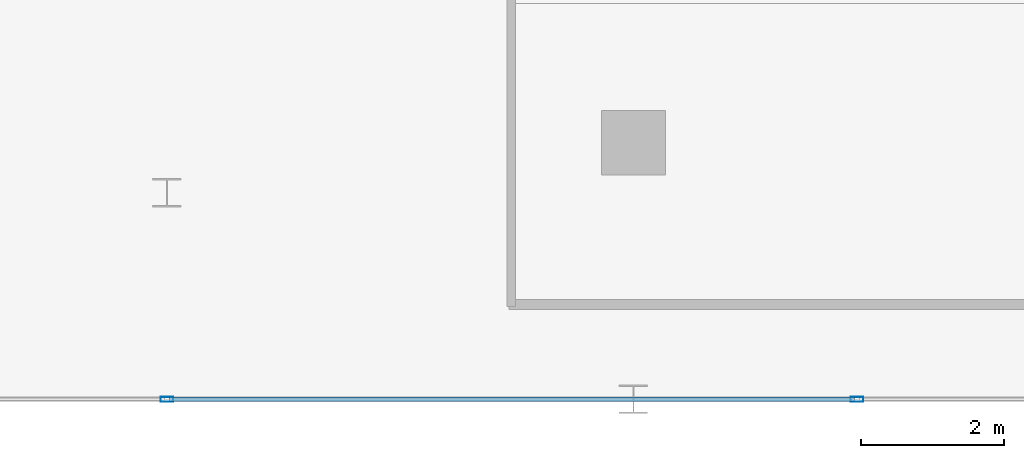
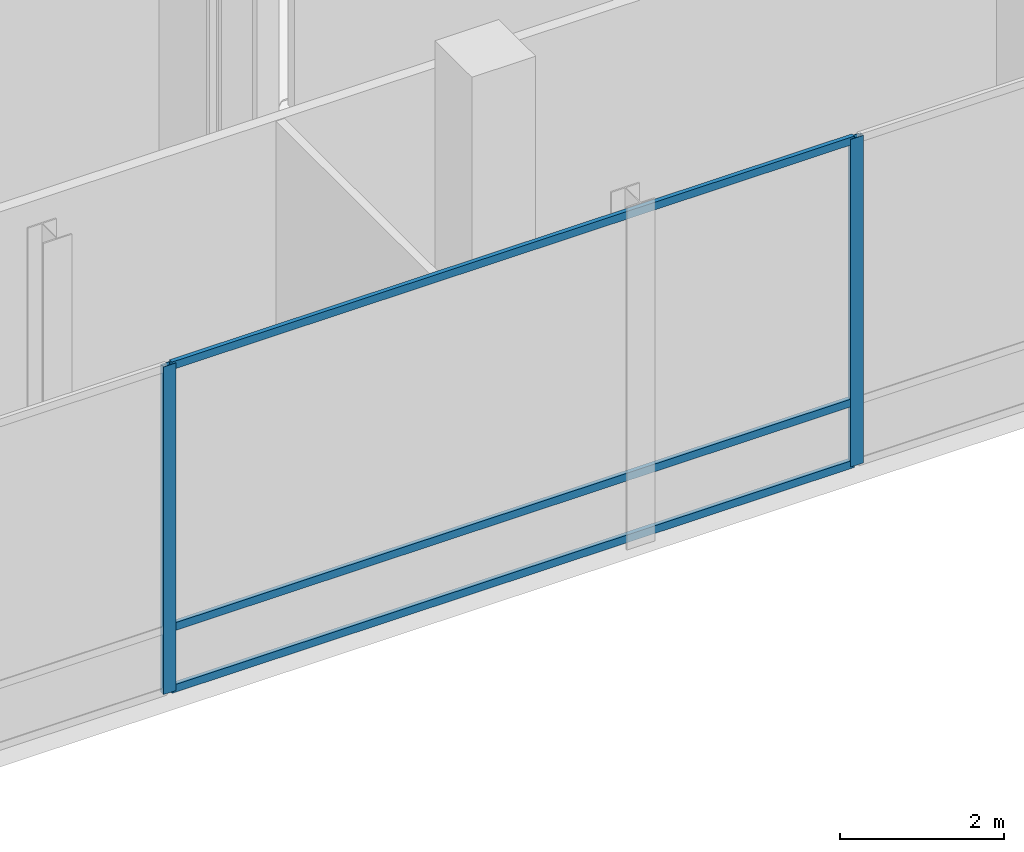
# One storey, part 13 of 40: 5 members, 1 element without a shape of its own.
"""IFC4 building model written with IfcOpenShell, lengths in metres."""

from ifc_helpers import new_model, si_unit, direction, frame, origin, origin_2d, place, context, subcontext, project, spatial, hollow_rectangle, extrude, material, layer, layer_set, material_profile, profile_set, type_object, element, aggregate, save


model = new_model("IFC4")

# Units and contexts
model_context = context("Model", 3, precision=1e-05, world=origin(), true_north=direction((0.0, 1.0)))
body_context = subcontext(model_context, "Body", "Model", "MODEL_VIEW")
ifc_project = project(units=[si_unit("LENGTHUNIT", "METRE"), si_unit("AREAUNIT", "SQUARE_METRE"), si_unit("VOLUMEUNIT", "CUBIC_METRE"), si_unit("PLANEANGLEUNIT", "RADIAN"), si_unit("MASSUNIT", "GRAM", prefix="KILO")], contexts=[model_context])

# Site, building, storey
site_placement = place(None, origin())
site = spatial("IfcSite", under=ifc_project, at=site_placement, CompositionType="ELEMENT")
building_placement = place(site_placement, origin())
building = spatial("IfcBuilding", under=site, at=building_placement, Name="Qianvela Tower", CompositionType="ELEMENT")
storey_placement = place(building_placement, frame((0.0, 0.0, 20.60009765625)))
storey = spatial("IfcBuildingStorey", under=building, at=storey_placement, Name="L04", CompositionType="ELEMENT", Elevation=20.60009765625)

# Curtain wall, members
ifc_material_1 = material(Name="Anodised Architectural Aluminium and Low-E Glass", Category="aluminium")
ifc_layer = layer(ifc_material_1, 0.179931640625)
ifc_layer_set = layer_set([ifc_layer], Name="Anodised Architectural Aluminium and Low-E Glass")
curtain_wall_type = type_object("IfcCurtainWallType", Name="CW-COMMONS", PredefinedType="USERDEFINED", material=ifc_layer_set)
curtain_wall_placement = place(storey_placement, origin())
curtain_wall = element("IfcCurtainWall", 1, at=curtain_wall_placement, inside=storey, type_object=curtain_wall_type, Name="L04 CW-COMMONS Curtain Wall 01", ObjectType="CURTAIN_WALL_SYSTEM", PredefinedType="USERDEFINED")
ifc_material_2 = material(Name="Anodised Architectural Aluminium 6063-T6", Category="aluminium")
ifc_material_profile_1 = material_profile(ifc_material_2, hollow_rectangle(XDim=0.070068359375, YDim=0.179931640625, WallThickness=0.0048828125, at=origin_2d()), Name="ALU-MULL-70x180")
ifc_profile_set_1 = profile_set([ifc_material_profile_1], Name="Anodised Architectural Aluminium 6063-T6")
member_type_1 = type_object("IfcMemberType", Name="CW-COMMONS-MULL", PredefinedType="MULLION", material=ifc_profile_set_1)
member_1_placement = place(storey_placement, frame((37.5, 4.5, 0.0), z_axis=(0.0, 0.0, 1.0), x_axis=(0.0, 1.0, 0.0)))
member_1 = element("IfcMember", 2, at=member_1_placement, type_object=member_type_1, Name="CW-2 mullion 4", PredefinedType="MULLION", context=body_context, shape_type="SweptSolid", body=[
    extrude(hollow_rectangle(XDim=0.070068359375, YDim=0.179931640625, WallThickness=0.0048828125, at=origin_2d()), origin(), (0.0, 0.0, 1.0), 4.8798828125),
])
member_2_placement = place(storey_placement, frame((47.183349609375, 4.5, 0.0), z_axis=(0.0, 0.0, 1.0), x_axis=(0.0, 1.0, 0.0)))
member_2 = element("IfcMember", 3, at=member_2_placement, type_object=member_type_1, Name="CW-2 mullion 5", PredefinedType="MULLION", context=body_context, shape_type="SweptSolid", body=[
    extrude(hollow_rectangle(XDim=0.070068359375, YDim=0.179931640625, WallThickness=0.0048828125, at=origin_2d()), origin(), (0.0, 0.0, 1.0), 4.8798828125),
])
ifc_material_3 = material(Name="Anodised Architectural Aluminium 6063-T6", Category="aluminium")
ifc_material_profile_2 = material_profile(ifc_material_3, hollow_rectangle(XDim=0.06005859375, YDim=0.114990234375, WallThickness=0.00390625, at=origin_2d()), Name="ALU-TRAN-60x115")
ifc_profile_set_2 = profile_set([ifc_material_profile_2], Name="Anodised Architectural Aluminium 6063-T6")
member_type_2 = type_object("IfcMemberType", Name="CW-COMMONS-TRAN", PredefinedType="USERDEFINED", material=ifc_profile_set_2)
member_3_placement = place(storey_placement, frame((37.534912109375, 4.5, 0.02978515625), z_axis=(1.0, 0.0, 0.0), x_axis=(0.0, 1.0, 0.0)))
member_3 = element("IfcMember", 4, at=member_3_placement, type_object=member_type_2, Name="CW-2 transom 4.1", ObjectType="TRANSOM", PredefinedType="USERDEFINED", context=body_context, shape_type="SweptSolid", body=[
    extrude(hollow_rectangle(XDim=0.06005859375, YDim=0.114990234375, WallThickness=0.00390625, at=origin_2d()), origin(), (0.0, 0.0, 1.0), 9.613525390625),
])
member_4_placement = place(storey_placement, frame((37.534912109375, 4.5, 0.949951171875), z_axis=(1.0, 0.0, 0.0), x_axis=(0.0, 1.0, 0.0)))
member_4 = element("IfcMember", 5, at=member_4_placement, type_object=member_type_2, Name="CW-2 transom 4.2", ObjectType="TRANSOM", PredefinedType="USERDEFINED", context=body_context, shape_type="SweptSolid", body=[
    extrude(hollow_rectangle(XDim=0.06005859375, YDim=0.114990234375, WallThickness=0.00390625, at=origin_2d()), origin(), (0.0, 0.0, 1.0), 9.613525390625),
])
member_5_placement = place(storey_placement, frame((37.534912109375, 4.5, 4.849853515625), z_axis=(1.0, 0.0, 0.0), x_axis=(0.0, 1.0, 0.0)))
member_5 = element("IfcMember", 6, at=member_5_placement, type_object=member_type_2, Name="CW-2 transom 4.3", ObjectType="TRANSOM", PredefinedType="USERDEFINED", context=body_context, shape_type="SweptSolid", body=[
    extrude(hollow_rectangle(XDim=0.06005859375, YDim=0.114990234375, WallThickness=0.00390625, at=origin_2d()), origin(), (0.0, 0.0, 1.0), 9.613525390625),
])
aggregate(curtain_wall, [member_1, member_2, member_3, member_4, member_5])

save(model, "model.ifc")
